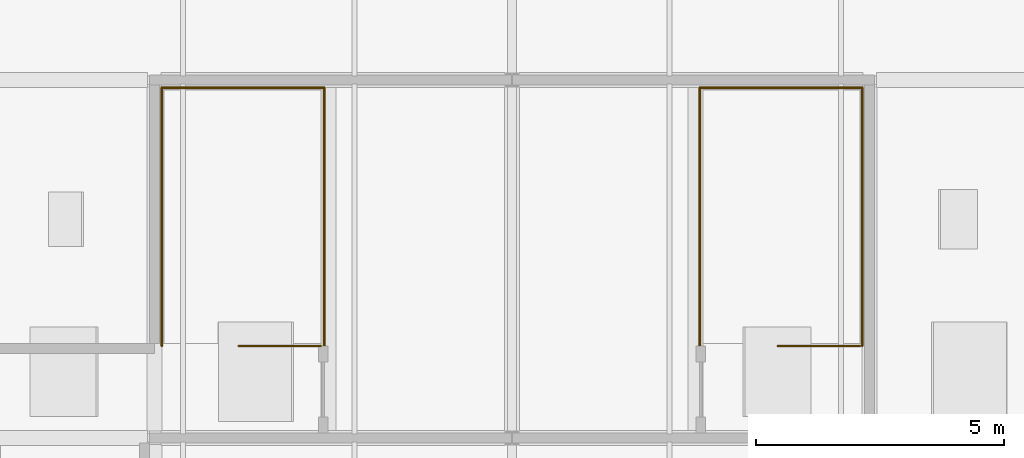
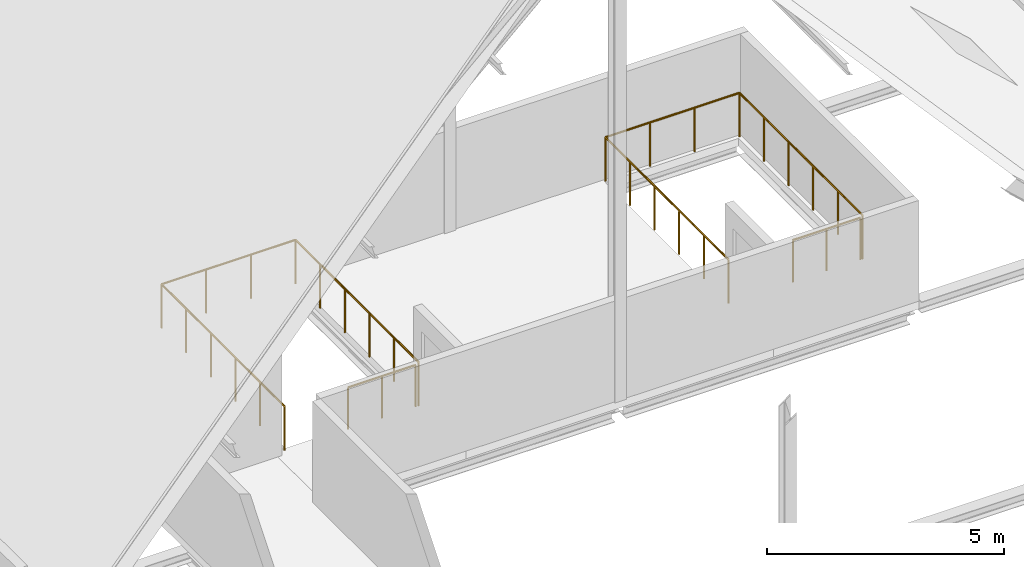
# One storey, part 35 of 35: 4 railings.
"""IFC4 building model written with IfcOpenShell, lengths in metres."""

from ifc_helpers import new_model, si_unit, direction, frame, origin, origin_2d, place, context, subcontext, project, spatial, circle, extrude, material, layer, layer_set, type_object, element, save


model = new_model("IFC4")

# Units and contexts
model_context = context("Model", 3, precision=1e-05, world=origin(), true_north=direction((0.0, 1.0)))
body_context = subcontext(model_context, "Body", "Model", "MODEL_VIEW")
ifc_project = project(units=[si_unit("LENGTHUNIT", "METRE"), si_unit("AREAUNIT", "SQUARE_METRE"), si_unit("VOLUMEUNIT", "CUBIC_METRE"), si_unit("PLANEANGLEUNIT", "RADIAN"), si_unit("MASSUNIT", "GRAM", prefix="KILO")], contexts=[model_context])

# Site, building, storey
site_placement = place(None, origin())
site = spatial("IfcSite", under=ifc_project, at=site_placement, CompositionType="ELEMENT")
building_placement = place(site_placement, origin())
building = spatial("IfcBuilding", under=site, at=building_placement, Name="Zarrinpeak Specialist Clinic", CompositionType="ELEMENT")
storey_placement = place(building_placement, frame((0.0, 0.0, 31.60009765625)))
storey = spatial("IfcBuildingStorey", under=building, at=storey_placement, Name="RF", CompositionType="ELEMENT", Elevation=31.60009765625)

# Railings
ifc_material = material(Name="Laminated Safety Glass and Stainless Steel 316", Category="steel")
ifc_layer = layer(ifc_material, 0.06005859375)
ifc_layer_set = layer_set([ifc_layer], Name="Laminated Safety Glass and Stainless Steel 316")
railing_type = type_object("IfcRailingType", Name="RL-GRD115", PredefinedType="GUARDRAIL", material=ifc_layer_set)
railing_1_placement = place(storey_placement, frame((7.35009765625, 23.449951171875, 0.0)))
element("IfcRailing", 1, at=railing_1_placement, inside=storey, type_object=railing_type, Name="RF Attic Stair ST-13 Well Perimeter Guardrail", PredefinedType="GUARDRAIL", context=body_context, shape_type="SweptSolid", body=[
    extrude(circle(Radius=0.02392578125, at=origin_2d()), frame((0.0, 0.0, 1.1259765625), z_axis=(0.0, 1.0, 0.0), x_axis=(-1.0, 0.0, 0.0)), (0.0, 0.0, 1.0), 5.199951171875),
    extrude(circle(Radius=0.02392578125, at=origin_2d()), frame((0.0, 5.199951171875, 1.1259765625), z_axis=(1.0, 0.0, 0.0), x_axis=(0.0, 1.0, 0.0)), (0.0, 0.0, 1.0), 3.27001953125),
    extrude(circle(Radius=0.02392578125, at=origin_2d()), frame((3.27001953125, 5.199951171875, 1.1259765625), z_axis=(0.0, -1.0, 0.0), x_axis=(1.0, 0.0, 0.0)), (0.0, 0.0, 1.0), 5.199951171875),
    extrude(circle(Radius=0.02099609375, at=origin_2d()), origin(), (0.0, 0.0, 1.0), 1.101806640625),
    extrude(circle(Radius=0.02099609375, at=origin_2d()), frame((0.0, 1.0400390625, 0.0)), (0.0, 0.0, 1.0), 1.101806640625),
    extrude(circle(Radius=0.02099609375, at=origin_2d()), frame((0.0, 2.080078125, 0.0)), (0.0, 0.0, 1.0), 1.101806640625),
    extrude(circle(Radius=0.02099609375, at=origin_2d()), frame((0.0, 3.119873046875, 0.0)), (0.0, 0.0, 1.0), 1.101806640625),
    extrude(circle(Radius=0.02099609375, at=origin_2d()), frame((0.0, 4.159912109375, 0.0)), (0.0, 0.0, 1.0), 1.101806640625),
    extrude(circle(Radius=0.02099609375, at=origin_2d()), frame((0.0, 5.199951171875, 0.0)), (0.0, 0.0, 1.0), 1.101806640625),
    extrude(circle(Radius=0.02099609375, at=origin_2d()), frame((1.090087890625, 5.199951171875, 0.0)), (0.0, 0.0, 1.0), 1.101806640625),
    extrude(circle(Radius=0.02099609375, at=origin_2d()), frame((2.179931640625, 5.199951171875, 0.0)), (0.0, 0.0, 1.0), 1.101806640625),
    extrude(circle(Radius=0.02099609375, at=origin_2d()), frame((3.27001953125, 5.199951171875, 0.0)), (0.0, 0.0, 1.0), 1.101806640625),
    extrude(circle(Radius=0.02099609375, at=origin_2d()), frame((3.27001953125, 4.159912109375, 0.0)), (0.0, 0.0, 1.0), 1.101806640625),
    extrude(circle(Radius=0.02099609375, at=origin_2d()), frame((3.27001953125, 3.119873046875, 0.0)), (0.0, 0.0, 1.0), 1.101806640625),
    extrude(circle(Radius=0.02099609375, at=origin_2d()), frame((3.27001953125, 2.080078125, 0.0)), (0.0, 0.0, 1.0), 1.101806640625),
    extrude(circle(Radius=0.02099609375, at=origin_2d()), frame((3.27001953125, 1.0400390625, 0.0)), (0.0, 0.0, 1.0), 1.101806640625),
    extrude(circle(Radius=0.02099609375, at=origin_2d()), frame((3.27001953125, 0.0, 0.0)), (0.0, 0.0, 1.0), 1.101806640625),
])
railing_2_placement = place(storey_placement, frame((18.179931640625, 23.449951171875, 0.0)))
element("IfcRailing", 2, at=railing_2_placement, inside=storey, type_object=railing_type, Name="RF Attic Stair ST-14 Well Perimeter Guardrail", PredefinedType="GUARDRAIL", context=body_context, shape_type="SweptSolid", body=[
    extrude(circle(Radius=0.02392578125, at=origin_2d()), frame((0.0, 0.0, 1.1259765625), z_axis=(0.0, 1.0, 0.0), x_axis=(-1.0, 0.0, 0.0)), (0.0, 0.0, 1.0), 5.199951171875),
    extrude(circle(Radius=0.02392578125, at=origin_2d()), frame((0.0, 5.199951171875, 1.1259765625), z_axis=(1.0, 0.0, 0.0), x_axis=(0.0, 1.0, 0.0)), (0.0, 0.0, 1.0), 3.27001953125),
    extrude(circle(Radius=0.02392578125, at=origin_2d()), frame((3.27001953125, 5.199951171875, 1.1259765625), z_axis=(0.0, -1.0, 0.0), x_axis=(1.0, 0.0, 0.0)), (0.0, 0.0, 1.0), 5.199951171875),
    extrude(circle(Radius=0.02099609375, at=origin_2d()), origin(), (0.0, 0.0, 1.0), 1.101806640625),
    extrude(circle(Radius=0.02099609375, at=origin_2d()), frame((0.0, 1.0400390625, 0.0)), (0.0, 0.0, 1.0), 1.101806640625),
    extrude(circle(Radius=0.02099609375, at=origin_2d()), frame((0.0, 2.080078125, 0.0)), (0.0, 0.0, 1.0), 1.101806640625),
    extrude(circle(Radius=0.02099609375, at=origin_2d()), frame((0.0, 3.119873046875, 0.0)), (0.0, 0.0, 1.0), 1.101806640625),
    extrude(circle(Radius=0.02099609375, at=origin_2d()), frame((0.0, 4.159912109375, 0.0)), (0.0, 0.0, 1.0), 1.101806640625),
    extrude(circle(Radius=0.02099609375, at=origin_2d()), frame((0.0, 5.199951171875, 0.0)), (0.0, 0.0, 1.0), 1.101806640625),
    extrude(circle(Radius=0.02099609375, at=origin_2d()), frame((1.090087890625, 5.199951171875, 0.0)), (0.0, 0.0, 1.0), 1.101806640625),
    extrude(circle(Radius=0.02099609375, at=origin_2d()), frame((2.179931640625, 5.199951171875, 0.0)), (0.0, 0.0, 1.0), 1.101806640625),
    extrude(circle(Radius=0.02099609375, at=origin_2d()), frame((3.27001953125, 5.199951171875, 0.0)), (0.0, 0.0, 1.0), 1.101806640625),
    extrude(circle(Radius=0.02099609375, at=origin_2d()), frame((3.27001953125, 4.159912109375, 0.0)), (0.0, 0.0, 1.0), 1.101806640625),
    extrude(circle(Radius=0.02099609375, at=origin_2d()), frame((3.27001953125, 3.119873046875, 0.0)), (0.0, 0.0, 1.0), 1.101806640625),
    extrude(circle(Radius=0.02099609375, at=origin_2d()), frame((3.27001953125, 2.080078125, 0.0)), (0.0, 0.0, 1.0), 1.101806640625),
    extrude(circle(Radius=0.02099609375, at=origin_2d()), frame((3.27001953125, 1.0400390625, 0.0)), (0.0, 0.0, 1.0), 1.101806640625),
    extrude(circle(Radius=0.02099609375, at=origin_2d()), frame((3.27001953125, 0.0, 0.0)), (0.0, 0.0, 1.0), 1.101806640625),
])
railing_3_placement = place(storey_placement, frame((10.550048828125, 23.449951171875, 0.0)))
element("IfcRailing", 3, at=railing_3_placement, inside=storey, type_object=railing_type, Name="RF ST-13 top well guard 1", PredefinedType="GUARDRAIL", context=body_context, shape_type="SweptSolid", body=[
    extrude(circle(Radius=0.02392578125, at=origin_2d()), frame((0.0, 0.0, 1.076171875), z_axis=(-1.0, 0.0, 0.0), x_axis=(0.0, -1.0, 0.0)), (0.0, 0.0, 1.0), 1.650146484375),
    extrude(circle(Radius=0.02099609375, at=origin_2d()), origin(), (0.0, 0.0, 1.0), 1.052001953125),
    extrude(circle(Radius=0.02099609375, at=origin_2d()), frame((-0.8251953125, 0.0, 0.0)), (0.0, 0.0, 1.0), 1.052001953125),
    extrude(circle(Radius=0.02099609375, at=origin_2d()), frame((-1.650146484375, 0.0, 0.0)), (0.0, 0.0, 1.0), 1.052001953125),
])
railing_4_placement = place(storey_placement, frame((21.39990234375, 23.449951171875, 0.0)))
element("IfcRailing", 4, at=railing_4_placement, inside=storey, type_object=railing_type, Name="RF ST-14 top well guard 1", PredefinedType="GUARDRAIL", context=body_context, shape_type="SweptSolid", body=[
    extrude(circle(Radius=0.02392578125, at=origin_2d()), frame((0.0, 0.0, 1.076171875), z_axis=(-1.0, 0.0, 0.0), x_axis=(0.0, -1.0, 0.0)), (0.0, 0.0, 1.0), 1.64990234375),
    extrude(circle(Radius=0.02099609375, at=origin_2d()), origin(), (0.0, 0.0, 1.0), 1.052001953125),
    extrude(circle(Radius=0.02099609375, at=origin_2d()), frame((-0.824951171875, 0.0, 0.0)), (0.0, 0.0, 1.0), 1.052001953125),
    extrude(circle(Radius=0.02099609375, at=origin_2d()), frame((-1.64990234375, 0.0, 0.0)), (0.0, 0.0, 1.0), 1.052001953125),
])

save(model, "model.ifc")
